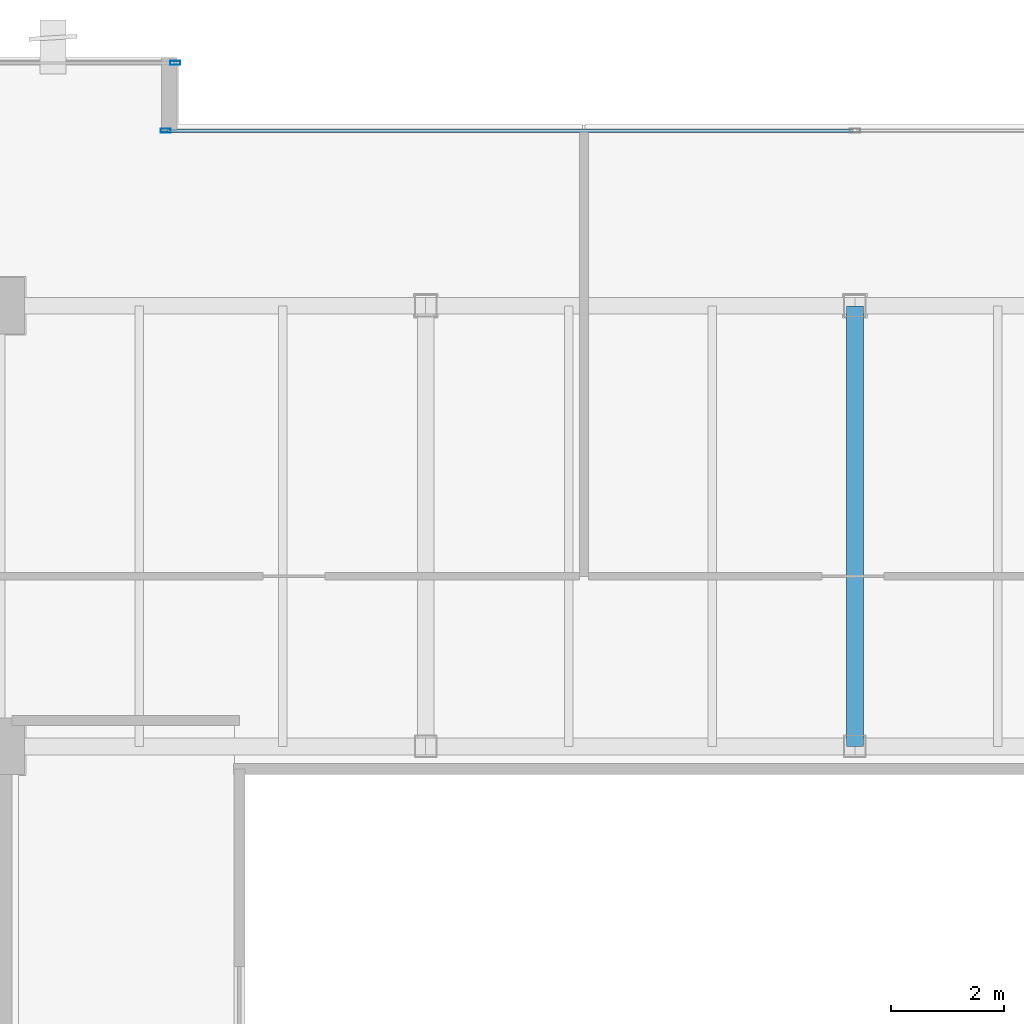
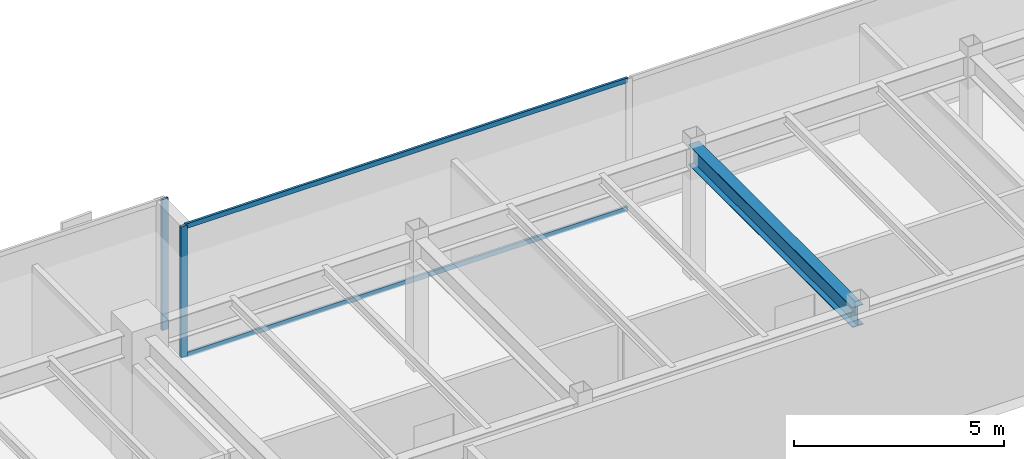
# One storey, part 17 of 35: 4 members, 1 beam, 2 elements without a shape of their own.
"""IFC4 building model written with IfcOpenShell, lengths in metres."""

from ifc_helpers import new_model, si_unit, direction, frame, origin, origin_2d, place, context, subcontext, project, spatial, hollow_rectangle, i_section, extrude, source, transform, mapped, material, layer, layer_set, material_profile, profile_set, type_object, type_shapes, element, aggregate, save


model = new_model("IFC4")

# Units and contexts
model_context = context("Model", 3, precision=1e-05, world=origin(), true_north=direction((0.0, 1.0)))
body_context = subcontext(model_context, "Body", "Model", "MODEL_VIEW")
ifc_project = project(units=[si_unit("LENGTHUNIT", "METRE"), si_unit("AREAUNIT", "SQUARE_METRE"), si_unit("VOLUMEUNIT", "CUBIC_METRE"), si_unit("PLANEANGLEUNIT", "RADIAN"), si_unit("MASSUNIT", "GRAM", prefix="KILO")], contexts=[model_context])

# Site, building, storey
site_placement = place(None, origin())
site = spatial("IfcSite", under=ifc_project, at=site_placement, CompositionType="ELEMENT")
building_placement = place(site_placement, origin())
building = spatial("IfcBuilding", under=site, at=building_placement, Name="Haelvirn Gate Laboratories", CompositionType="ELEMENT")
storey_placement = place(building_placement, frame((0.0, 0.0, 201.39990234375)))
storey = spatial("IfcBuildingStorey", under=building, at=storey_placement, Name="L48", CompositionType="ELEMENT", Elevation=201.39990234375)

# Beam
ifc_material_1 = material(Name="Steel SM355", Category="steel")
ifc_material_profile_1 = material_profile(ifc_material_1, i_section(OverallWidth=0.300048828125, OverallDepth=0.587890625, WebThickness=0.011962890625, FlangeThickness=0.02001953125, at=origin_2d()), Name="H-588x300x12x20")
ifc_profile_set_1 = profile_set([ifc_material_profile_1], Name="Steel SM355")
beam_type = type_object("IfcBeamType", Name="BM-G-588", PredefinedType="BEAM", material=ifc_profile_set_1)
shared_shape_1 = source(origin(), body_context, "Body", "SweptSolid", [
    extrude(i_section(OverallWidth=0.300048828125, OverallDepth=0.587890625, WebThickness=0.011962890625, FlangeThickness=0.02001953125, at=origin_2d()), origin(), (0.0, 0.0, 1.0), 7.800048828125),
])
type_shapes(beam_type, [shared_shape_1])
beam_placement = place(storey_placement, frame((37.39990234375, 33.800048828125, 3.506103515625), z_axis=(0.0, 1.0, 0.0), x_axis=(-1.0, 0.0, 0.0)))
element("IfcBeam", 1, at=beam_placement, inside=storey, type_object=beam_type, Name="L48 Frame Girder X37.4 (33.8-41.6)", PredefinedType="BEAM", context=body_context, shape_type="MappedRepresentation", body=[
    mapped(shared_shape_1, transform((0.0, 0.0, 0.0), scale=1.0)),
])

# Curtain wall, members
ifc_material_2 = material(Name="Anodised bronze unitised aluminium & triple low-E glass", Category="aluminium")
ifc_layer = layer(ifc_material_2, 0.176025390625, Name="CW-SYS-4")
ifc_layer_set = layer_set([ifc_layer], Name="Anodised bronze unitised aluminium & triple low-E glass")
curtain_wall_type = type_object("IfcCurtainWallType", Name="CW-SYS-4", PredefinedType="NOTDEFINED", material=ifc_layer_set)
curtain_wall_1_placement = place(storey_placement, origin())
curtain_wall_1 = element("IfcCurtainWall", 2, at=curtain_wall_1_placement, inside=storey, type_object=curtain_wall_type, Name="L48 Unitised Curtain Wall CW-L48-P0-E12-1", PredefinedType="NOTDEFINED")
ifc_material_3 = material(Name="Extruded aluminium 6063-T6 (anodised bronze)", Category="aluminium")
ifc_material_profile_2 = material_profile(ifc_material_3, hollow_rectangle(XDim=0.06494140625, YDim=0.139892578125, WallThickness=0.00390625, at=origin_2d()), Name="CWT-140x65x4")
ifc_profile_set_2 = profile_set([ifc_material_profile_2], Name="Extruded aluminium 6063-T6 (anodised bronze)")
member_type_1 = type_object("IfcMemberType", Name="CWT-T140", PredefinedType="USERDEFINED", material=ifc_profile_set_2)
shared_shape_2 = source(origin(), body_context, "Body", "SweptSolid", [
    extrude(hollow_rectangle(XDim=0.06494140625, YDim=0.139892578125, WallThickness=0.00390625, at=origin_2d()), origin(), (0.0, 0.0, 1.0), 12.135009765625),
])
type_shapes(member_type_1, [shared_shape_2])
member_1_placement = place(storey_placement, frame((25.22998046875, 44.699951171875, 0.03271484375), z_axis=(1.0, 0.0, 0.0), x_axis=(0.0, 1.0, 0.0)))
member_1 = element("IfcMember", 3, at=member_1_placement, type_object=member_type_1, Name="CW4 transom 1.1", ObjectType="TRANSOM", PredefinedType="USERDEFINED", context=body_context, shape_type="MappedRepresentation", body=[
    mapped(shared_shape_2, transform((0.0, 0.0, 0.0), scale=1.0)),
])
member_2_placement = place(storey_placement, frame((25.22998046875, 44.699951171875, 3.767578125), z_axis=(1.0, 0.0, 0.0), x_axis=(0.0, 1.0, 0.0)))
member_2 = element("IfcMember", 4, at=member_2_placement, type_object=member_type_1, Name="CW4 transom 1.2", ObjectType="TRANSOM", PredefinedType="USERDEFINED", context=body_context, shape_type="MappedRepresentation", body=[
    mapped(shared_shape_2, transform((0.0, 0.0, 0.0), scale=1.0)),
])
ifc_material_profile_3 = material_profile(ifc_material_3, hollow_rectangle(XDim=0.070068359375, YDim=0.179931640625, WallThickness=0.0048828125, at=origin_2d()), Name="CWM-180x70x5")
ifc_profile_set_3 = profile_set([ifc_material_profile_3], Name="Extruded aluminium 6063-T6 (anodised bronze)")
member_type_2 = type_object("IfcMemberType", Name="CWM-T180", PredefinedType="MULLION", material=ifc_profile_set_3)
shared_shape_3 = source(origin(), body_context, "Body", "SweptSolid", [
    extrude(hollow_rectangle(XDim=0.070068359375, YDim=0.179931640625, WallThickness=0.0048828125, at=origin_2d()), origin(), (0.0, 0.0, 1.0), 3.800048828125),
])
type_shapes(member_type_2, [shared_shape_3])
member_3_placement = place(storey_placement, frame((25.195068359375, 44.699951171875, 0.0), z_axis=(0.0, 0.0, 1.0), x_axis=(0.0, 1.0, 0.0)))
member_3 = element("IfcMember", 5, at=member_3_placement, type_object=member_type_2, Name="CW4 mullion 1", PredefinedType="MULLION", context=body_context, shape_type="MappedRepresentation", body=[
    mapped(shared_shape_3, transform((0.0, 0.0, 0.0), scale=1.0)),
])
aggregate(curtain_wall_1, [member_3, member_1, member_2])

# Curtain wall, member
curtain_wall_2_placement = place(storey_placement, origin())
curtain_wall_2 = element("IfcCurtainWall", 6, at=curtain_wall_2_placement, inside=storey, type_object=curtain_wall_type, Name="L48 Unitised Curtain Wall CW-L48-P0-E14-1", PredefinedType="NOTDEFINED")
member_4_placement = place(storey_placement, frame((25.364990234375, 45.89990234375, 0.0), z_axis=(0.0, 0.0, 1.0), x_axis=(0.0, 1.0, 0.0)))
member_4 = element("IfcMember", 7, at=member_4_placement, type_object=member_type_2, Name="CW4 mullion 3", PredefinedType="MULLION", context=body_context, shape_type="MappedRepresentation", body=[
    mapped(shared_shape_3, transform((0.0, 0.0, 0.0), scale=1.0)),
])
aggregate(curtain_wall_2, [member_4])

save(model, "model.ifc")
